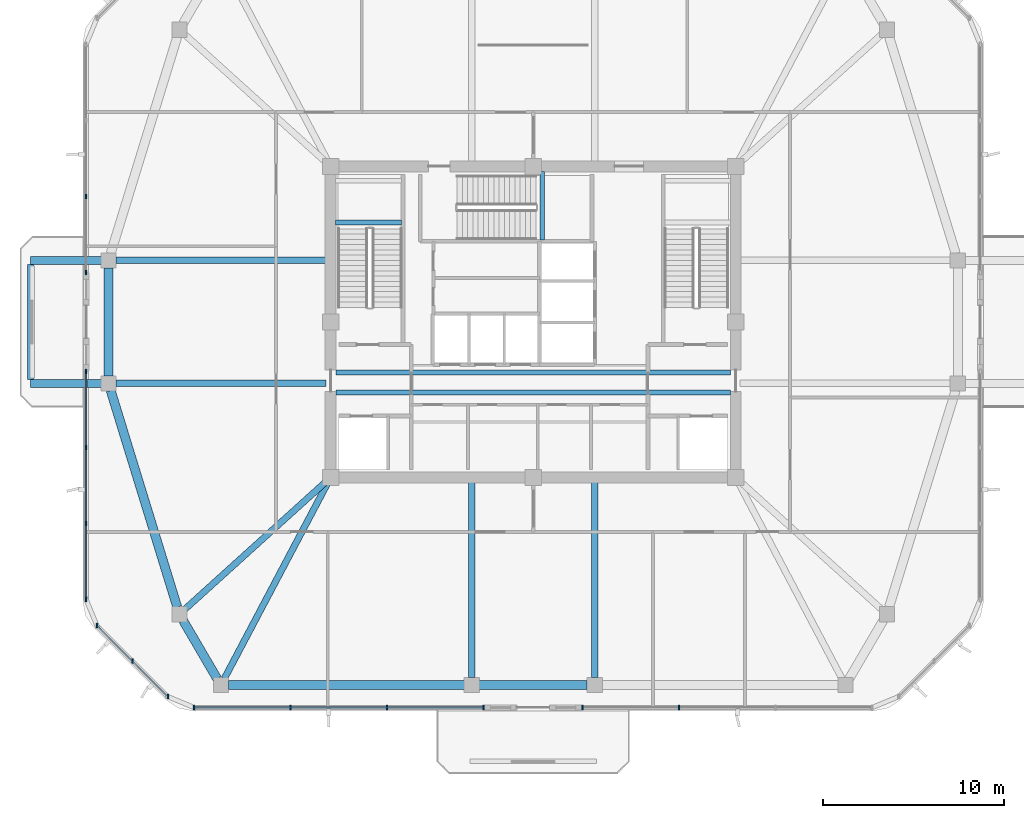
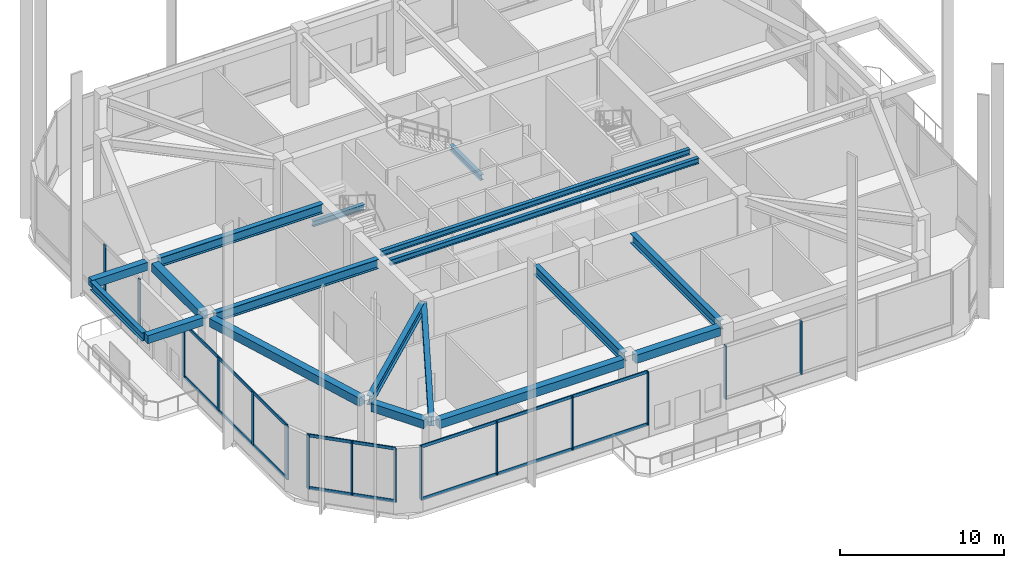
# One storey, part 2 of 14: 21 members, 18 beams, 5 elements without a shape of their own.
"""IFC4 building model written with IfcOpenShell, lengths in metres."""

from ifc_helpers import new_model, si_unit, derived_unit, direction, frame, origin, origin_2d, place, context, subcontext, project, spatial, rectangle, i_section, extrude, material, material_profile, profile_set, type_object, element, aggregate, save


model = new_model("IFC4")

# Units and contexts
model_context = context("Model", 3, precision=1e-05, world=origin(), true_north=direction((0.0, 1.0)))
body_context = subcontext(model_context, "Body", "Model", "MODEL_VIEW")
ifc_project = project(units=[si_unit("LENGTHUNIT", "METRE"), si_unit("AREAUNIT", "SQUARE_METRE"), si_unit("VOLUMEUNIT", "CUBIC_METRE"), si_unit("PLANEANGLEUNIT", "RADIAN"), si_unit("MASSUNIT", "GRAM", prefix="KILO"), derived_unit("THERMALTRANSMITTANCEUNIT", [(si_unit("POWERUNIT", "WATT"), 1), (si_unit("LENGTHUNIT", "METRE"), -2), (si_unit("THERMODYNAMICTEMPERATUREUNIT", "KELVIN"), -1)])], contexts=[model_context])

# Site, building, storey
site_placement = place(None, origin())
site = spatial("IfcSite", under=ifc_project, at=site_placement, CompositionType="ELEMENT")
building_placement = place(site_placement, origin())
building = spatial("IfcBuilding", under=site, at=building_placement, Name="Koralith Skygarden Medical Center", CompositionType="ELEMENT")
storey_placement = place(building_placement, frame((0.0, 0.0, 237.06005859375)))
storey = spatial("IfcBuildingStorey", under=building, at=storey_placement, Name="L61", CompositionType="ELEMENT", Elevation=237.06005859375)

# Curtain wall, members
ifc_material_1 = material(Name="Clear Laminated Glass", Category="glass")
curtain_wall_type = type_object("IfcCurtainWallType", Name="CW-7 Sky-Garden & Pool Conservatory Wall", PredefinedType="NOTDEFINED", material=ifc_material_1)
curtain_wall_1_placement = place(storey_placement, origin())
curtain_wall_1 = element("IfcCurtainWall", 1, at=curtain_wall_1_placement, inside=storey, type_object=curtain_wall_type, Name="Curtain Wall CW-L61-S-L", PredefinedType="NOTDEFINED")
ifc_material_2 = material(Name="Aluminium 6063-T6", Category="aluminium")
ifc_material_profile_1 = material_profile(ifc_material_2, rectangle(XDim=0.0859375, YDim=0.25, at=origin_2d()), Name="MUL86X250")
ifc_profile_set_1 = profile_set([ifc_material_profile_1], Name="Aluminium 6063-T6")
member_type_1 = type_object("IfcMemberType", Name="CW-7 Extruded Mullion 86x250", PredefinedType="MULLION", material=ifc_profile_set_1)
member_1_placement = place(storey_placement, frame((18.2548828125, 4.580078125, 0.849853515625), z_axis=(0.0, 0.0, 1.0), x_axis=(1.0, 0.0, 0.0)))
member_1 = element("IfcMember", 2, at=member_1_placement, type_object=member_type_1, Name="CW-L61-S-L Mullion 1", PredefinedType="MULLION", context=body_context, shape_type="SweptSolid", body=[
    extrude(rectangle(XDim=0.0859375, YDim=0.25, at=origin_2d()), origin(), (0.0, 0.0, 1.0), 4.0),
])
member_2_placement = place(storey_placement, frame((23.590087890625, 4.580078125, 0.849853515625), z_axis=(0.0, 0.0, 1.0), x_axis=(1.0, 0.0, 0.0)))
member_2 = element("IfcMember", 3, at=member_2_placement, type_object=member_type_1, Name="CW-L61-S-L Mullion 2", PredefinedType="MULLION", context=body_context, shape_type="SweptSolid", body=[
    extrude(rectangle(XDim=0.0859375, YDim=0.25, at=origin_2d()), origin(), (0.0, 0.0, 1.0), 4.0),
])
member_3_placement = place(storey_placement, frame((28.924072265625, 4.580078125, 0.849853515625), z_axis=(0.0, 0.0, 1.0), x_axis=(1.0, 0.0, 0.0)))
member_3 = element("IfcMember", 4, at=member_3_placement, type_object=member_type_1, Name="CW-L61-S-L Mullion 3", PredefinedType="MULLION", context=body_context, shape_type="SweptSolid", body=[
    extrude(rectangle(XDim=0.0859375, YDim=0.25, at=origin_2d()), origin(), (0.0, 0.0, 1.0), 4.0),
])
member_4_placement = place(storey_placement, frame((34.259033203125, 4.580078125, 0.849853515625), z_axis=(0.0, 0.0, 1.0), x_axis=(1.0, 0.0, 0.0)))
member_4 = element("IfcMember", 5, at=member_4_placement, type_object=member_type_1, Name="CW-L61-S-L Mullion 4", PredefinedType="MULLION", context=body_context, shape_type="SweptSolid", body=[
    extrude(rectangle(XDim=0.0859375, YDim=0.25, at=origin_2d()), origin(), (0.0, 0.0, 1.0), 4.0),
])

curtain_wall_2_placement = place(storey_placement, origin())
curtain_wall_2 = element("IfcCurtainWall", 6, at=curtain_wall_2_placement, inside=storey, type_object=curtain_wall_type, Name="Curtain Wall CW-L61-S-R", PredefinedType="NOTDEFINED")
member_5_placement = place(storey_placement, frame((39.739013671875, 4.580078125, 0.849853515625), z_axis=(0.0, 0.0, 1.0), x_axis=(1.0, 0.0, 0.0)))
member_5 = element("IfcMember", 7, at=member_5_placement, type_object=member_type_1, Name="CW-L61-S-R Mullion 1", PredefinedType="MULLION", context=body_context, shape_type="SweptSolid", body=[
    extrude(rectangle(XDim=0.0859375, YDim=0.25, at=origin_2d()), origin(), (0.0, 0.0, 1.0), 4.0),
])
member_6_placement = place(storey_placement, frame((45.073974609375, 4.580078125, 0.849853515625), z_axis=(0.0, 0.0, 1.0), x_axis=(1.0, 0.0, 0.0)))
member_6 = element("IfcMember", 8, at=member_6_placement, type_object=member_type_1, Name="CW-L61-S-R Mullion 2", PredefinedType="MULLION", context=body_context, shape_type="SweptSolid", body=[
    extrude(rectangle(XDim=0.0859375, YDim=0.25, at=origin_2d()), origin(), (0.0, 0.0, 1.0), 4.0),
])
aggregate(curtain_wall_2, [member_5, member_6])

curtain_wall_3_placement = place(storey_placement, origin())
curtain_wall_3 = element("IfcCurtainWall", 9, at=curtain_wall_3_placement, inside=storey, type_object=curtain_wall_type, Name="Curtain Wall CW-L61-W-L", PredefinedType="NOTDEFINED")
member_7_placement = place(storey_placement, frame((12.280029296875, 32.842041015625, 0.849853515625), z_axis=(0.0, 0.0, 1.0), x_axis=(1.0, 0.0, 0.0)))
member_7 = element("IfcMember", 10, at=member_7_placement, type_object=member_type_1, Name="CW-L61-W-L Mullion 3", PredefinedType="MULLION", context=body_context, shape_type="SweptSolid", body=[
    extrude(rectangle(XDim=0.0859375, YDim=0.25, at=origin_2d()), origin(), (0.0, 0.0, 1.0), 4.0),
])
member_8_placement = place(storey_placement, frame((12.280029296875, 28.639892578125, 0.849853515625), z_axis=(0.0, 0.0, 1.0), x_axis=(1.0, 0.0, 0.0)))
member_8 = element("IfcMember", 11, at=member_8_placement, type_object=member_type_1, Name="CW-L61-W-L Mullion 4", PredefinedType="MULLION", context=body_context, shape_type="SweptSolid", body=[
    extrude(rectangle(XDim=0.0859375, YDim=0.25, at=origin_2d()), origin(), (0.0, 0.0, 1.0), 4.0),
])
aggregate(curtain_wall_3, [member_7, member_8])

curtain_wall_4_placement = place(storey_placement, origin())
curtain_wall_4 = element("IfcCurtainWall", 12, at=curtain_wall_4_placement, inside=storey, type_object=curtain_wall_type, Name="Curtain Wall CW-L61-W-R", PredefinedType="NOTDEFINED")
member_9_placement = place(storey_placement, frame((12.280029296875, 23.159912109375, 0.849853515625), z_axis=(0.0, 0.0, 1.0), x_axis=(1.0, 0.0, 0.0)))
member_9 = element("IfcMember", 13, at=member_9_placement, type_object=member_type_1, Name="CW-L61-W-R Mullion 1", PredefinedType="MULLION", context=body_context, shape_type="SweptSolid", body=[
    extrude(rectangle(XDim=0.0859375, YDim=0.25, at=origin_2d()), origin(), (0.0, 0.0, 1.0), 4.0),
])
member_10_placement = place(storey_placement, frame((12.280029296875, 18.9580078125, 0.849853515625), z_axis=(0.0, 0.0, 1.0), x_axis=(1.0, 0.0, 0.0)))
member_10 = element("IfcMember", 14, at=member_10_placement, type_object=member_type_1, Name="CW-L61-W-R Mullion 2", PredefinedType="MULLION", context=body_context, shape_type="SweptSolid", body=[
    extrude(rectangle(XDim=0.0859375, YDim=0.25, at=origin_2d()), origin(), (0.0, 0.0, 1.0), 4.0),
])
member_11_placement = place(storey_placement, frame((12.280029296875, 14.757080078125, 0.849853515625), z_axis=(0.0, 0.0, 1.0), x_axis=(1.0, 0.0, 0.0)))
member_11 = element("IfcMember", 15, at=member_11_placement, type_object=member_type_1, Name="CW-L61-W-R Mullion 3", PredefinedType="MULLION", context=body_context, shape_type="SweptSolid", body=[
    extrude(rectangle(XDim=0.0859375, YDim=0.25, at=origin_2d()), origin(), (0.0, 0.0, 1.0), 4.0),
])
member_12_placement = place(storey_placement, frame((12.280029296875, 10.554931640625, 0.849853515625), z_axis=(0.0, 0.0, 1.0), x_axis=(1.0, 0.0, 0.0)))
member_12 = element("IfcMember", 16, at=member_12_placement, type_object=member_type_1, Name="CW-L61-W-R Mullion 4", PredefinedType="MULLION", context=body_context, shape_type="SweptSolid", body=[
    extrude(rectangle(XDim=0.0859375, YDim=0.25, at=origin_2d()), origin(), (0.0, 0.0, 1.0), 4.0),
])

curtain_wall_5_placement = place(storey_placement, origin())
curtain_wall_5 = element("IfcCurtainWall", 17, at=curtain_wall_5_placement, inside=storey, type_object=curtain_wall_type, Name="Curtain Wall CW-L61-SW", PredefinedType="NOTDEFINED")
member_13_placement = place(storey_placement, frame((12.881103515625, 9.10400390625, 0.849853515625), z_axis=(0.0, 0.0, 1.0), x_axis=(1.0, 0.0, 0.0)))
member_13 = element("IfcMember", 18, at=member_13_placement, type_object=member_type_1, Name="CW-L61-SW Mullion 1", PredefinedType="MULLION", context=body_context, shape_type="SweptSolid", body=[
    extrude(rectangle(XDim=0.0859375, YDim=0.25, at=origin_2d()), origin(), (0.0, 0.0, 1.0), 4.0),
])
member_14_placement = place(storey_placement, frame((14.842041015625, 7.14306640625, 0.849853515625), z_axis=(0.0, 0.0, 1.0), x_axis=(1.0, 0.0, 0.0)))
member_14 = element("IfcMember", 19, at=member_14_placement, type_object=member_type_1, Name="CW-L61-SW Mullion 2", PredefinedType="MULLION", context=body_context, shape_type="SweptSolid", body=[
    extrude(rectangle(XDim=0.0859375, YDim=0.25, at=origin_2d()), origin(), (0.0, 0.0, 1.0), 4.0),
])
member_15_placement = place(storey_placement, frame((16.803955078125, 5.180908203125, 0.849853515625), z_axis=(0.0, 0.0, 1.0), x_axis=(1.0, 0.0, 0.0)))
member_15 = element("IfcMember", 20, at=member_15_placement, type_object=member_type_1, Name="CW-L61-SW Mullion 3", PredefinedType="MULLION", context=body_context, shape_type="SweptSolid", body=[
    extrude(rectangle(XDim=0.0859375, YDim=0.25, at=origin_2d()), origin(), (0.0, 0.0, 1.0), 4.0),
])

# Member
ifc_material_profile_2 = material_profile(ifc_material_2, rectangle(XDim=0.0810546875, YDim=0.22509765625, at=origin_2d()), Name="TRN81X225")
ifc_profile_set_2 = profile_set([ifc_material_profile_2], Name="Aluminium 6063-T6")
member_type_2 = type_object("IfcMemberType", Name="CW-7 Thermal Transom 81x225", PredefinedType="USERDEFINED", material=ifc_profile_set_2)
member_16_placement = place(storey_placement, frame((18.2548828125, 4.580078125, 0.89990234375), z_axis=(1.0, 0.0, 0.0), x_axis=(0.0, 1.0, 0.0)))
member_16 = element("IfcMember", 21, at=member_16_placement, type_object=member_type_2, Name="CW-L61-S-L Transom 1", ObjectType="TRANSOM", PredefinedType="USERDEFINED", context=body_context, shape_type="SweptSolid", body=[
    extrude(rectangle(XDim=0.0810546875, YDim=0.22509765625, at=origin_2d()), origin(), (0.0, 0.0, 1.0), 16.004150390625),
])

member_17_placement = place(storey_placement, frame((18.2548828125, 4.580078125, 4.800048828125), z_axis=(1.0, 0.0, 0.0), x_axis=(0.0, 1.0, 0.0)))
member_17 = element("IfcMember", 22, at=member_17_placement, type_object=member_type_2, Name="CW-L61-S-L Transom 2", ObjectType="TRANSOM", PredefinedType="USERDEFINED", context=body_context, shape_type="SweptSolid", body=[
    extrude(rectangle(XDim=0.0810546875, YDim=0.22509765625, at=origin_2d()), origin(), (0.0, 0.0, 1.0), 16.004150390625),
])

aggregate(curtain_wall_1, [member_1, member_2, member_3, member_4, member_16, member_17])

member_18_placement = place(storey_placement, frame((12.280029296875, 23.159912109375, 0.89990234375), z_axis=(0.0, -1.0, 0.0), x_axis=(1.0, 0.0, 0.0)))
member_18 = element("IfcMember", 23, at=member_18_placement, type_object=member_type_2, Name="CW-L61-W-R Transom 1", ObjectType="TRANSOM", PredefinedType="USERDEFINED", context=body_context, shape_type="SweptSolid", body=[
    extrude(rectangle(XDim=0.0810546875, YDim=0.22509765625, at=origin_2d()), origin(), (0.0, 0.0, 1.0), 12.60498046875),
])

member_19_placement = place(storey_placement, frame((12.280029296875, 23.159912109375, 4.800048828125), z_axis=(0.0, -1.0, 0.0), x_axis=(1.0, 0.0, 0.0)))
member_19 = element("IfcMember", 24, at=member_19_placement, type_object=member_type_2, Name="CW-L61-W-R Transom 2", ObjectType="TRANSOM", PredefinedType="USERDEFINED", context=body_context, shape_type="SweptSolid", body=[
    extrude(rectangle(XDim=0.0810546875, YDim=0.22509765625, at=origin_2d()), origin(), (0.0, 0.0, 1.0), 12.60498046875),
])

aggregate(curtain_wall_4, [member_9, member_10, member_11, member_12, member_18, member_19])

member_20_placement = place(storey_placement, frame((12.881103515625, 9.10400390625, 0.89990234375), z_axis=(0.707084777957, -0.707128783731, 0.0), x_axis=(0.707128783731, 0.707084777957, 0.0)))
member_20 = element("IfcMember", 25, at=member_20_placement, type_object=member_type_2, Name="CW-L61-SW Transom 1", ObjectType="TRANSOM", PredefinedType="USERDEFINED", context=body_context, shape_type="SweptSolid", body=[
    extrude(rectangle(XDim=0.0810546875, YDim=0.22509765625, at=origin_2d()), origin(), (0.0, 0.0, 1.0), 5.5478515625),
])

member_21_placement = place(storey_placement, frame((12.881103515625, 9.10400390625, 4.800048828125), z_axis=(0.707084777957, -0.707128783731, 0.0), x_axis=(0.707128783731, 0.707084777957, 0.0)))
member_21 = element("IfcMember", 26, at=member_21_placement, type_object=member_type_2, Name="CW-L61-SW Transom 2", ObjectType="TRANSOM", PredefinedType="USERDEFINED", context=body_context, shape_type="SweptSolid", body=[
    extrude(rectangle(XDim=0.0810546875, YDim=0.22509765625, at=origin_2d()), origin(), (0.0, 0.0, 1.0), 5.5478515625),
])

aggregate(curtain_wall_5, [member_13, member_14, member_15, member_20, member_21])

# Beams
ifc_material_3 = material(Name="Steel ASTM A992 Grade 50", Category="steel")
ifc_material_profile_3 = material_profile(ifc_material_3, i_section(OverallWidth=0.326904296875, OverallDepth=0.6220703125, WebThickness=0.015380859375, FlangeThickness=0.0244140625, at=origin_2d()), Name="W24X131")
ifc_profile_set_3 = profile_set([ifc_material_profile_3], Name="Steel ASTM A992 Grade 50")
beam_type_1 = type_object("IfcBeamType", Name="Cantilever Tie Beam W24X131", PredefinedType="BEAM", material=ifc_profile_set_3)
beam_1_placement = place(storey_placement, frame((9.199951171875, 22.719970703125, 5.18896484375), z_axis=(0.0, 1.0, 0.0), x_axis=(-1.0, 0.0, 0.0)))
element("IfcBeam", 27, at=beam_1_placement, inside=storey, type_object=beam_type_1, Name="L62 W Balcony Tip Tie Beam", PredefinedType="BEAM", context=body_context, shape_type="SweptSolid", body=[
    extrude(i_section(OverallWidth=0.326904296875, OverallDepth=0.6220703125, WebThickness=0.015380859375, FlangeThickness=0.0244140625, at=origin_2d()), origin(), (0.0, 0.0, 1.0), 6.360107421875),
])
ifc_material_profile_4 = material_profile(ifc_material_3, i_section(OverallWidth=0.260009765625, OverallDepth=0.4150390625, WebThickness=0.010009765625, FlangeThickness=0.016845703125, at=origin_2d()), Name="W16X67")
ifc_profile_set_4 = profile_set([ifc_material_profile_4], Name="Steel ASTM A992 Grade 50")
beam_type_2 = type_object("IfcBeamType", Name="Clinical Floor Joist W16X67", PredefinedType="JOIST", material=ifc_profile_set_4)
for number, where, z_axis, x_axis, name in (
    (28, (26.10009765625, 22.0, 5.27197265625), (1.0, 0.0, 0.0), (0.0, 1.0, 0.0), "L61 Core Lobby Floor Joist 1"),
    (29, (26.10009765625, 23.10009765625, 5.27197265625), (1.0, 0.0, 0.0), (0.0, 1.0, 0.0), "L61 Core Lobby Floor Joist 2"),
):
    element("IfcBeam", number, at=place(storey_placement, frame(where, z_axis=z_axis, x_axis=x_axis)), inside=storey, type_object=beam_type_2, Name=name, PredefinedType="JOIST", context=body_context, shape_type="SweptSolid", body=[
        extrude(i_section(OverallWidth=0.260009765625, OverallDepth=0.4150390625, WebThickness=0.010009765625, FlangeThickness=0.016845703125, at=origin_2d()), origin(), (0.0, 0.0, 1.0), 21.7998046875),
    ])
beam_2_placement = place(storey_placement, frame((26.080078125, 31.39990234375, 2.471923828125), z_axis=(1.0, 0.0, 0.0), x_axis=(0.0, 1.0, 0.0)))
element("IfcBeam", 30, at=beam_2_placement, inside=storey, type_object=beam_type_2, Name="L61 Stair ST1 Half-Landing Support Beam 1A", PredefinedType="JOIST", context=body_context, shape_type="SweptSolid", body=[
    extrude(i_section(OverallWidth=0.260009765625, OverallDepth=0.4150390625, WebThickness=0.010009765625, FlangeThickness=0.016845703125, at=origin_2d()), origin(), (0.0, 0.0, 1.0), 3.639892578125),
])
beam_3_placement = place(storey_placement, frame((37.5, 30.43994140625, 2.471923828125), z_axis=(0.0, 1.0, 0.0), x_axis=(-1.0, 0.0, 0.0)))
element("IfcBeam", 31, at=beam_3_placement, inside=storey, type_object=beam_type_2, Name="L61 Stair ST3 Half-Landing Support Beam 1A", PredefinedType="JOIST", context=body_context, shape_type="SweptSolid", body=[
    extrude(i_section(OverallWidth=0.260009765625, OverallDepth=0.4150390625, WebThickness=0.010009765625, FlangeThickness=0.016845703125, at=origin_2d()), origin(), (0.0, 0.0, 1.0), 3.780029296875),
])
ifc_material_4 = material(Name="Concrete C45/55", Category="concrete")
ifc_material_profile_5 = material_profile(ifc_material_4, rectangle(XDim=0.449951171875, YDim=0.60009765625, at=origin_2d()), Name="RCB450X600")
ifc_profile_set_5 = profile_set([ifc_material_profile_5], Name="Concrete C45/55")
beam_type_3 = type_object("IfcBeamType", Name="Planted Balcony Cantilever Beam RCB450X600", PredefinedType="BEAM", material=ifc_profile_set_5)
for number, where, z_axis, x_axis, name in (
    (32, (13.1201171875, 22.5, 5.199951171875), (-1.0, 0.0, 0.0), (0.0, -1.0, 0.0), "L62 W Balcony Cantilever Beam A"),
    (33, (13.1201171875, 29.300048828125, 5.199951171875), (-1.0, 0.0, 0.0), (0.0, -1.0, 0.0), "L62 W Balcony Cantilever Beam B"),
):
    element("IfcBeam", number, at=place(storey_placement, frame(where, z_axis=z_axis, x_axis=x_axis)), inside=storey, type_object=beam_type_3, Name=name, PredefinedType="BEAM", context=body_context, shape_type="SweptSolid", body=[
        extrude(rectangle(XDim=0.449951171875, YDim=0.60009765625, at=origin_2d()), origin(), (0.0, 0.0, 1.0), 3.920166015625),
    ])
ifc_material_profile_6 = material_profile(ifc_material_3, i_section(OverallWidth=0.35595703125, OverallDepth=0.700927734375, WebThickness=0.016845703125, FlangeThickness=0.02734375, at=origin_2d()), Name="W27X161")
ifc_profile_set_6 = profile_set([ifc_material_profile_6], Name="Steel ASTM A992 Grade 50")
beam_type_4 = type_object("IfcBeamType", Name="Sky-Lobby Radial Girder W27X161", PredefinedType="BEAM", material=ifc_profile_set_6)
beam_4_placement = place(storey_placement, frame((25.550048828125, 22.5, 5.12890625), z_axis=(-1.0, 0.0, 0.0), x_axis=(0.0, -1.0, 0.0)))
element("IfcBeam", 34, at=beam_4_placement, inside=storey, type_object=beam_type_4, Name="L61 Radial Collector Beam RB-01", PredefinedType="BEAM", context=body_context, shape_type="SweptSolid", body=[
    extrude(i_section(OverallWidth=0.35595703125, OverallDepth=0.700927734375, WebThickness=0.016845703125, FlangeThickness=0.02734375, at=origin_2d()), origin(), (0.0, 0.0, 1.0), 11.6201171875),
])
beam_5_placement = place(storey_placement, frame((25.614990234375, 17.132080078125, 5.12890625), z_axis=(-0.741736323186, -0.670691603397, 0.0), x_axis=(0.670691603397, -0.741736323186, 0.0)))
element("IfcBeam", 35, at=beam_5_placement, inside=storey, type_object=beam_type_4, Name="L61 Radial Collector Beam RB-02", PredefinedType="BEAM", context=body_context, shape_type="SweptSolid", body=[
    extrude(i_section(OverallWidth=0.35595703125, OverallDepth=0.700927734375, WebThickness=0.016845703125, FlangeThickness=0.02734375, at=origin_2d()), origin(), (0.0, 0.0, 1.0), 10.61181640625),
])
beam_6_placement = place(storey_placement, frame((25.68310546875, 17.0791015625, 5.12890625), z_axis=(-0.46724871287, -0.884125918816, 0.0), x_axis=(0.884125918816, -0.46724871287, 0.0)))
element("IfcBeam", 36, at=beam_6_placement, inside=storey, type_object=beam_type_4, Name="L61 Radial Collector Beam RB-03", PredefinedType="BEAM", context=body_context, shape_type="SweptSolid", body=[
    extrude(i_section(OverallWidth=0.35595703125, OverallDepth=0.700927734375, WebThickness=0.016845703125, FlangeThickness=0.02734375, at=origin_2d()), origin(), (0.0, 0.0, 1.0), 12.325439453125),
])
for number, where, z_axis, x_axis, name in (
    (37, (33.60009765625, 17.050048828125, 5.12890625), (0.0, -1.0, 0.0), (1.0, 0.0, 0.0), "L61 Radial Collector Beam RB-04"),
    (38, (40.39990234375, 17.050048828125, 5.12890625), (0.0, -1.0, 0.0), (1.0, 0.0, 0.0), "L61 Radial Collector Beam RB-05"),
):
    element("IfcBeam", number, at=place(storey_placement, frame(where, z_axis=z_axis, x_axis=x_axis)), inside=storey, type_object=beam_type_4, Name=name, PredefinedType="BEAM", context=body_context, shape_type="SweptSolid", body=[
        extrude(i_section(OverallWidth=0.35595703125, OverallDepth=0.700927734375, WebThickness=0.016845703125, FlangeThickness=0.02734375, at=origin_2d()), origin(), (0.0, 0.0, 1.0), 10.820068359375),
    ])
beam_7_placement = place(storey_placement, frame((25.550048828125, 29.300048828125, 5.12890625), z_axis=(-1.0, 0.0, 0.0), x_axis=(0.0, -1.0, 0.0)))
element("IfcBeam", 39, at=beam_7_placement, inside=storey, type_object=beam_type_4, Name="L61 Radial Collector Beam RB-16", PredefinedType="BEAM", context=body_context, shape_type="SweptSolid", body=[
    extrude(i_section(OverallWidth=0.35595703125, OverallDepth=0.700927734375, WebThickness=0.016845703125, FlangeThickness=0.02734375, at=origin_2d()), origin(), (0.0, 0.0, 1.0), 11.6201171875),
])
ifc_material_profile_7 = material_profile(ifc_material_4, rectangle(XDim=0.5, YDim=0.6201171875, at=origin_2d()), Name="RCB500X620")
ifc_profile_set_7 = profile_set([ifc_material_profile_7], Name="Concrete C45/55")
beam_type_5 = type_object("IfcBeamType", Name="Zone 4-5 Spandrel Beam RCB500X620", PredefinedType="SPANDREL", material=ifc_profile_set_7)
beam_8_placement = place(storey_placement, frame((13.639892578125, 22.10791015625, 5.169921875), z_axis=(0.293743494914, -0.955884281279, 0.0), x_axis=(0.955884281279, 0.293743494914, 0.0)))
element("IfcBeam", 40, at=beam_8_placement, inside=storey, type_object=beam_type_5, Name="L61 Perimeter Spandrel Beam SP-01", PredefinedType="SPANDREL", context=body_context, shape_type="SweptSolid", body=[
    extrude(rectangle(XDim=0.5, YDim=0.6201171875, at=origin_2d()), origin(), (0.0, 0.0, 1.0), 12.528564453125),
])
beam_9_placement = place(storey_placement, frame((17.64697265625, 9.385986328125, 5.169921875), z_axis=(0.50473571007, -0.863273921175, 0.0), x_axis=(0.863273921175, 0.50473571007, 0.0)))
element("IfcBeam", 41, at=beam_9_placement, inside=storey, type_object=beam_type_5, Name="L61 Perimeter Spandrel Beam SP-02", PredefinedType="SPANDREL", context=body_context, shape_type="SweptSolid", body=[
    extrude(rectangle(XDim=0.5, YDim=0.6201171875, at=origin_2d()), origin(), (0.0, 0.0, 1.0), 3.720703125),
])
beam_10_placement = place(storey_placement, frame((20.14208984375, 5.820068359375, 5.169921875), z_axis=(1.0, 0.0, 0.0), x_axis=(0.0, 1.0, 0.0)))
element("IfcBeam", 42, at=beam_10_placement, inside=storey, type_object=beam_type_5, Name="L61 Perimeter Spandrel Beam SP-03", PredefinedType="SPANDREL", context=body_context, shape_type="SweptSolid", body=[
    extrude(rectangle(XDim=0.5, YDim=0.6201171875, at=origin_2d()), origin(), (0.0, 0.0, 1.0), 13.0478515625),
])
for number, where, z_axis, x_axis, name in (
    (43, (34.010009765625, 5.820068359375, 5.169921875), (1.0, 0.0, 0.0), (0.0, 1.0, 0.0), "L61 Perimeter Spandrel Beam SP-04"),
    (44, (13.52001953125, 28.889892578125, 5.169921875), (0.0, -1.0, 0.0), (1.0, 0.0, 0.0), "L61 Perimeter Spandrel Beam SP-16"),
):
    element("IfcBeam", number, at=place(storey_placement, frame(where, z_axis=z_axis, x_axis=x_axis)), inside=storey, type_object=beam_type_5, Name=name, PredefinedType="SPANDREL", context=body_context, shape_type="SweptSolid", body=[
        extrude(rectangle(XDim=0.5, YDim=0.6201171875, at=origin_2d()), origin(), (0.0, 0.0, 1.0), 5.97998046875),
    ])

save(model, "model.ifc")
